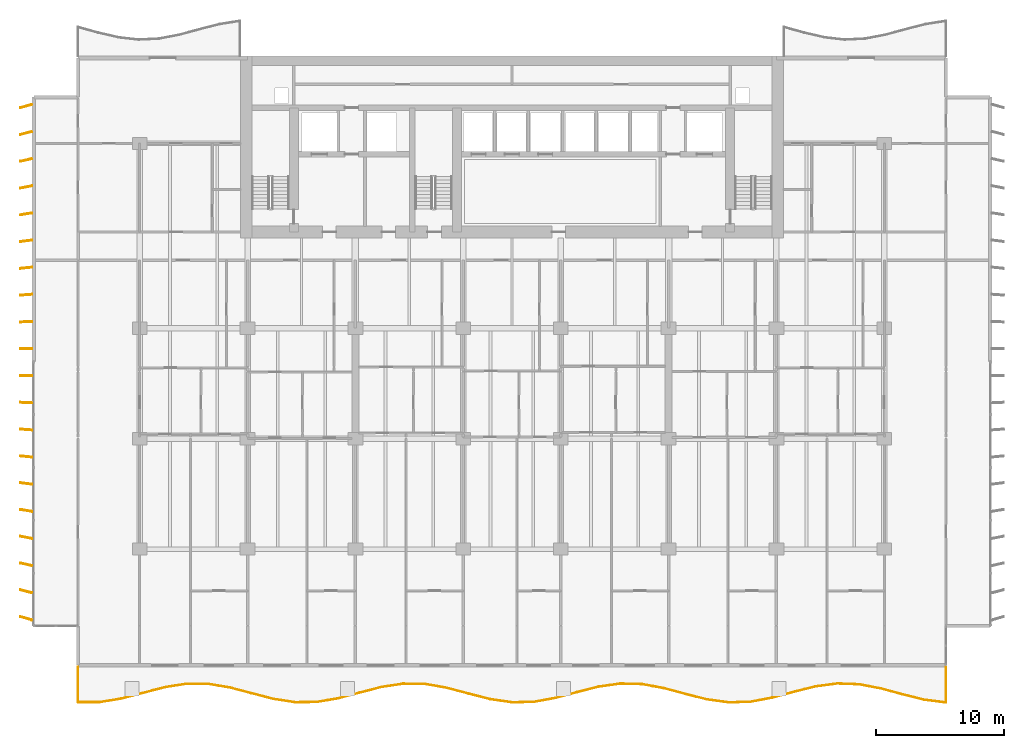
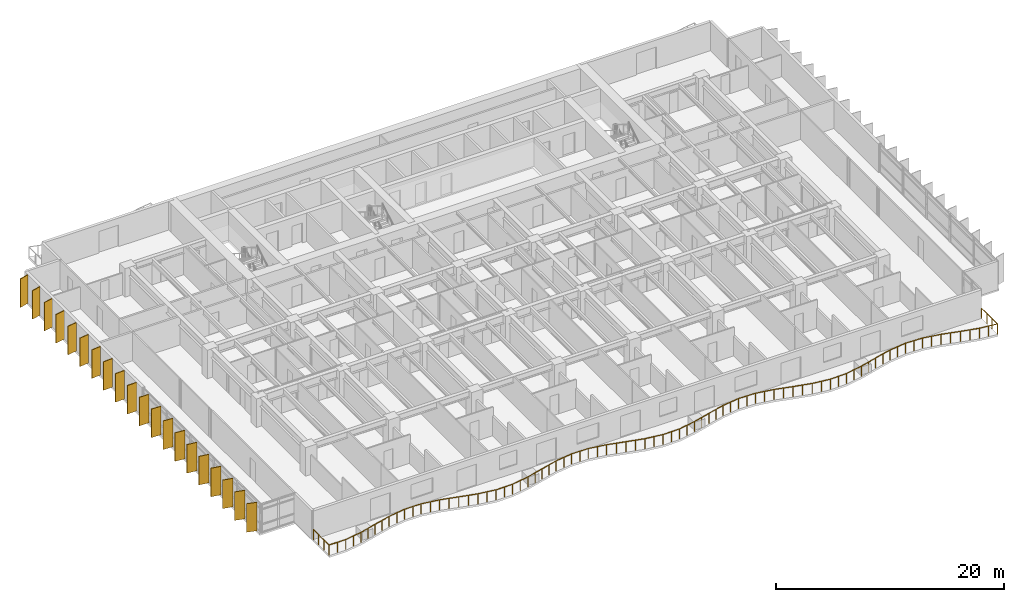
# One storey, part 15 of 18: 20 shading devices, 1 railing.
"""IFC4 building model written with IfcOpenShell, lengths in metres."""

import ifcopenshell
import ifcopenshell.guid

model = None  # the IFC model being written
_history = None  # IfcOwnerHistory: only IFC2X3 demands one
_inside = {}  # id of a spatial element -> (the spatial element, [elements in it])
_under = {}  # id of a project, library or spatial element -> (it, [spatial elements below it])
_declared = {}  # id of a project -> (the project, [libraries it declares])
_typed = {}  # id of a type object -> (the type object, [elements of that type])
_made_of = {}  # id of a material, layer set ... -> (it, [elements and type objects made of it])


def new_model(schema):
    """Start an empty IFC model of exactly this schema.

    Asked for "IFC4X3", IfcOpenShell would pick the latest addendum, in which some entities
    have other attributes; the version numbers below select the first issue.
    IFC2X3 requires an IfcOwnerHistory on every rooted entity: one is made here for all.
    """
    global model, _history
    if schema == "IFC4X3":
        model = ifcopenshell.file(schema_version=(4, 3, 0, 0))
    else:
        model = ifcopenshell.file(schema=schema)
    _inside.clear()
    _under.clear()
    _declared.clear()
    _typed.clear()
    _made_of.clear()
    _history = None
    if model.schema == "IFC2X3":
        org = make("IfcOrganization", Name="unknown")
        user = make(
            "IfcPersonAndOrganization",
            ThePerson=make("IfcPerson", FamilyName="unknown"),
            TheOrganization=org,
        )
        app = make(
            "IfcApplication",
            ApplicationDeveloper=org,
            Version="unknown",
            ApplicationFullName="unknown",
            ApplicationIdentifier="unknown",
        )
        _history = make(
            "IfcOwnerHistory",
            OwningUser=user,
            OwningApplication=app,
            ChangeAction="ADDED",
            CreationDate=0,
        )
    return model


def make(cls, **values):
    """One entity of the class cls with the attributes given. An attribute that is None is left unset."""
    return model.create_entity(
        cls, **{name: value for name, value in values.items() if value is not None}
    )


def rooted(cls, **values):
    """An entity with a GlobalId (a new one), such as an element, a storey or a relation."""
    return make(cls, GlobalId=ifcopenshell.guid.new(), OwnerHistory=_history, **values)


def si_unit(unit_type, name, prefix=None):
    """IfcSIUnit, for example si_unit("LENGTHUNIT", "METRE", prefix="MILLI")."""
    return make("IfcSIUnit", UnitType=unit_type, Prefix=prefix, Name=name)


def assignment(units):
    """IfcUnitAssignment: the units of a project."""
    return None if units is None else make("IfcUnitAssignment", Units=units)


def point(xyz):
    """IfcCartesianPoint."""
    return None if xyz is None else make("IfcCartesianPoint", Coordinates=xyz)


def direction(xyz):
    """IfcDirection."""
    return None if xyz is None else make("IfcDirection", DirectionRatios=xyz)


def frame(location, z_axis=None, x_axis=None):
    """IfcAxis2Placement3D, a coordinate frame: its origin and axes. An axis left out is left unset."""
    return make(
        "IfcAxis2Placement3D",
        Location=point(location),
        Axis=direction(z_axis),
        RefDirection=direction(x_axis),
    )


def frame_2d(location, x_axis=None):
    """IfcAxis2Placement2D, a coordinate frame in the plane: its origin and x axis."""
    return make(
        "IfcAxis2Placement2D", Location=point(location), RefDirection=direction(x_axis)
    )


def origin():
    """The frame at (0, 0, 0) with its axes left unset."""
    return frame((0.0, 0.0, 0.0))


def origin_2d():
    """The frame at (0, 0) in the plane with its x axis left unset."""
    return frame_2d((0.0, 0.0))


def place(relative_to, where):
    """IfcLocalPlacement: puts the frame where relative to a parent placement (None: the world)."""
    return make(
        "IfcLocalPlacement", PlacementRelTo=relative_to, RelativePlacement=where
    )


def context(
    kind, dimensions, precision=None, world=None, true_north=None, identifier=None
):
    """IfcGeometricRepresentationContext, for example the 3D "Model" context."""
    return make(
        "IfcGeometricRepresentationContext",
        ContextIdentifier=identifier,
        ContextType=kind,
        CoordinateSpaceDimension=dimensions,
        Precision=precision,
        WorldCoordinateSystem=world,
        TrueNorth=true_north,
    )


def subcontext(parent, identifier, kind, view, scale=None):
    """IfcGeometricRepresentationSubContext, for example "Body" below "Model"."""
    return make(
        "IfcGeometricRepresentationSubContext",
        ContextIdentifier=identifier,
        ContextType=kind,
        ParentContext=parent,
        TargetScale=scale,
        TargetView=view,
    )


def project(units=None, contexts=None):
    """IfcProject with its units and contexts."""
    return rooted(
        "IfcProject",
        Name="project",
        RepresentationContexts=contexts,
        UnitsInContext=assignment(units),
    )


def spatial(cls, under=None, at=None, **own):
    """A site, building, storey or space (cls), placed at a placement, below another one or the project."""
    s = rooted(cls, ObjectPlacement=at, **own)
    if under is not None:
        _under.setdefault(under.id(), (under, []))[1].append(s)
    return s


def profile(cls, at=None, kind="AREA", **sizes):
    """A parametric profile (cls). Its sizes go by their IFC names, for example OverallWidth=200.0."""
    return make(cls, ProfileType=kind, Position=at, **sizes)


def rectangle(**sizes):
    """IfcRectangleProfileDef."""
    return profile("IfcRectangleProfileDef", **sizes)


def circle(**sizes):
    """IfcCircleProfileDef."""
    return profile("IfcCircleProfileDef", **sizes)


def extrude(swept, where, along, depth):
    """IfcExtrudedAreaSolid: the profile swept, set in the frame where, extruded along a direction by depth."""
    return make(
        "IfcExtrudedAreaSolid",
        SweptArea=swept,
        Position=where,
        ExtrudedDirection=direction(along),
        Depth=depth,
    )


def shape(context_of_items, identifier, shape_type, items):
    """IfcShapeRepresentation: the items that make up one representation, for example the "Body"."""
    return make(
        "IfcShapeRepresentation",
        ContextOfItems=context_of_items,
        RepresentationIdentifier=identifier,
        RepresentationType=shape_type,
        Items=items,
    )


def material(Name=None, Category=None):
    """IfcMaterial."""
    return make("IfcMaterial", Name=Name, Category=Category)


def material_profile(
    of_material, cross_section, Name=None, Category=None, Priority=None
):
    """IfcMaterialProfile: a cross section and its material."""
    return make(
        "IfcMaterialProfile",
        Name=Name,
        Material=of_material,
        Profile=cross_section,
        Priority=Priority,
        Category=Category,
    )


def profile_set(profiles, Name=None, composite=None):
    """IfcMaterialProfileSet."""
    return make(
        "IfcMaterialProfileSet",
        Name=Name,
        MaterialProfiles=profiles,
        CompositeProfile=composite,
    )


def made_of(thing, what):
    """Note that an element or type object is made of a material, layer set ...; save() writes the relation."""
    if what is not None:
        _made_of.setdefault(what.id(), (what, []))[1].append(thing)
    return thing


def type_object(cls, material=None, **own):
    """A type object (cls), such as IfcWallType, which elements share."""
    return made_of(rooted(cls, **own), material)


def element(
    cls,
    number,
    at=None,
    inside=None,
    cuts=None,
    type_object=None,
    material=None,
    context=None,
    identifier="Body",
    shape_type=None,
    held_by="IfcProductDefinitionShape",
    body=None,
    shapes=None,
    **own,
):
    """One element of the class cls, such as IfcWall. Its Tag is "e" and its number.

    at: its placement. inside: the storey or other place that contains it. cuts: it is an
    opening in that element (IfcRelVoidsElement). A single representation is given by context,
    identifier, shape_type and body (its items); several are given by shapes. held_by: the class
    of the entity that holds the representations. save() writes the other relations.
    """
    e = rooted(cls, Tag="e%d" % number, ObjectPlacement=at, **own)
    if body is not None:
        shapes = [shape(context, identifier, shape_type, body)]
    if shapes is not None:
        e.Representation = make(held_by, Representations=shapes)
    if inside is not None:
        _inside.setdefault(inside.id(), (inside, []))[1].append(e)
    if cuts is not None:
        rooted(
            "IfcRelVoidsElement", RelatingBuildingElement=cuts, RelatedOpeningElement=e
        )
    if type_object is not None:
        _typed.setdefault(type_object.id(), (type_object, []))[1].append(e)
    return made_of(e, material)


def aggregate(whole, parts):
    """IfcRelAggregates: a whole, such as a stair, and the parts it consists of."""
    return rooted("IfcRelAggregates", RelatingObject=whole, RelatedObjects=parts)


def save(model, path):
    """Write the relations noted so far, then the file.

    IfcRelAggregates (storeys below a building ...), IfcRelContainedInSpatialStructure (elements
    in a storey), IfcRelDefinesByType, IfcRelAssociatesMaterial and IfcRelDeclares: one each for
    every whole, place, type object, material and project.
    """
    for whole, parts in _under.values():
        aggregate(whole, parts)
    for where, things in _inside.values():
        rooted(
            "IfcRelContainedInSpatialStructure",
            RelatedElements=things,
            RelatingStructure=where,
        )
    for kind, things in _typed.values():
        rooted("IfcRelDefinesByType", RelatedObjects=things, RelatingType=kind)
    for what, things in _made_of.values():
        rooted("IfcRelAssociatesMaterial", RelatedObjects=things, RelatingMaterial=what)
    for by, libraries in _declared.values():
        rooted("IfcRelDeclares", RelatingContext=by, RelatedDefinitions=libraries)
    model.write(path)


model = new_model("IFC4")

# Units and contexts
model_context = context("Model", 3, precision=1e-05, world=origin(), true_north=direction((0.0, 1.0)))
body_context = subcontext(model_context, "Body", "Model", "MODEL_VIEW")
ifc_project = project(units=[si_unit("LENGTHUNIT", "METRE"), si_unit("AREAUNIT", "SQUARE_METRE"), si_unit("VOLUMEUNIT", "CUBIC_METRE"), si_unit("PLANEANGLEUNIT", "RADIAN"), si_unit("MASSUNIT", "GRAM", prefix="KILO")], contexts=[model_context])

# Site, building, storey
site_placement = place(None, origin())
site = spatial("IfcSite", under=ifc_project, at=site_placement, CompositionType="ELEMENT")
building_placement = place(site_placement, origin())
building = spatial("IfcBuilding", under=site, at=building_placement, Name="Caelmar Bay Residences", CompositionType="ELEMENT")
storey_placement = place(building_placement, frame((0.0, 0.0, 69.60009765625)))
storey = spatial("IfcBuildingStorey", under=building, at=storey_placement, Name="L18", CompositionType="ELEMENT", Elevation=69.60009765625)

# Railing
ifc_material_1 = material(Name="Anodised bronze handrail with laminated hurricane glass infill", Category="glass")
railing_type = type_object("IfcRailingType", Name="RL-BAL-1100", PredefinedType="BALUSTRADE", material=ifc_material_1)
railing_placement = place(storey_placement, frame((5.10009765625, 3.0, 0.0)))
element("IfcRailing", 1, at=railing_placement, inside=storey, type_object=railing_type, Name="L18 south Balcony Balustrade", PredefinedType="BALUSTRADE", context=body_context, shape_type="SweptSolid", body=[
    extrude(circle(Radius=0.02392578125, at=origin_2d()), frame((0.0, 0.0, 1.076171875), z_axis=(0.0, -1.0, 0.0), x_axis=(1.0, 0.0, 0.0)), (0.0, 0.0, 1.0), 2.7333984375),
    extrude(circle(Radius=0.02392578125, at=origin_2d()), frame((0.0, -2.7333984375, 1.076171875), z_axis=(0.999999833035, 0.000577867572, 0.0), x_axis=(-0.000577867572, 0.999999833035, 0.0)), (0.0, 0.0, 1.0), 1.68994140625),
    extrude(circle(Radius=0.02392578125, at=origin_2d()), frame((1.68994140625, -2.732421875, 1.076171875), z_axis=(0.986912976197, 0.161253767131, 0.0), x_axis=(-0.161253767131, 0.986912976197, 0.0)), (0.0, 0.0, 1.0), 1.71240234375),
    extrude(circle(Radius=0.02392578125, at=origin_2d()), frame((3.3798828125, -2.456298828125, 1.076171875), z_axis=(0.967094441618, 0.254417650706, 0.0), x_axis=(-0.254417650706, 0.967094441618, 0.0)), (0.0, 0.0, 1.0), 1.74755859375),
    extrude(circle(Radius=0.02392578125, at=origin_2d()), frame((5.06982421875, -2.01171875, 1.076171875), z_axis=(0.967514789184, 0.252814423463, 0.0), x_axis=(-0.252814423463, 0.967514789184, 0.0)), (0.0, 0.0, 1.0), 1.746826171875),
    extrude(circle(Radius=0.02392578125, at=origin_2d()), frame((6.760009765625, -1.570068359375, 1.076171875), z_axis=(0.98769577134, 0.156387541952, 0.0), x_axis=(-0.156387541952, 0.98769577134, 0.0)), (0.0, 0.0, 1.0), 1.7109375),
    extrude(circle(Radius=0.02392578125, at=origin_2d()), frame((8.449951171875, -1.302490234375, 1.076171875), z_axis=(0.999984128218, -0.005634120341, 0.0), x_axis=(0.005634120341, 0.999984128218, 0.0)), (0.0, 0.0, 1.0), 1.68994140625),
    extrude(circle(Radius=0.02392578125, at=origin_2d()), frame((10.139892578125, -1.31201171875, 1.076171875), z_axis=(0.98624720218, -0.165276907618, 0.0), x_axis=(0.165276907618, 0.98624720218, 0.0)), (0.0, 0.0, 1.0), 1.713623046875),
    extrude(circle(Radius=0.02392578125, at=origin_2d()), frame((11.829833984375, -1.59521484375, 1.076171875), z_axis=(0.966724528556, -0.255819635464, 0.0), x_axis=(0.255819635464, 0.966724528556, 0.0)), (0.0, 0.0, 1.0), 1.748291015625),
    extrude(circle(Radius=0.02392578125, at=origin_2d()), frame((13.52001953125, -2.04248046875, 1.076171875), z_axis=(0.967949070137, -0.251146566016, 0.0), x_axis=(0.251146566016, 0.967949070137, 0.0)), (0.0, 0.0, 1.0), 1.745849609375),
    extrude(circle(Radius=0.02392578125, at=origin_2d()), frame((15.2099609375, -2.48095703125, 1.076171875), z_axis=(0.988327087853, -0.152346865464, 0.0), x_axis=(0.152346865464, 0.988327087853, 0.0)), (0.0, 0.0, 1.0), 1.7099609375),
    extrude(circle(Radius=0.02392578125, at=origin_2d()), frame((16.89990234375, -2.741455078125, 1.076171875), z_axis=(0.999941306352, 0.010834382834, 0.0), x_axis=(-0.010834382834, 0.999941306352, 0.0)), (0.0, 0.0, 1.0), 1.68994140625),
    extrude(circle(Radius=0.02392578125, at=origin_2d()), frame((18.58984375, -2.72314453125, 1.076171875), z_axis=(0.9855897172, 0.169153508239, 0.0), x_axis=(-0.169153508239, 0.9855897172, 0.0)), (0.0, 0.0, 1.0), 1.714599609375),
    extrude(circle(Radius=0.02392578125, at=origin_2d()), frame((20.27978515625, -2.43310546875, 1.076171875), z_axis=(0.966378433467, 0.257123945464, 0.0), x_axis=(-0.257123945464, 0.966378433467, 0.0)), (0.0, 0.0, 1.0), 1.7490234375),
    extrude(circle(Radius=0.02392578125, at=origin_2d()), frame((21.969970703125, -1.9833984375, 1.076171875), z_axis=(0.968389691805, 0.2494421873, 0.0), x_axis=(-0.2494421873, 0.968389691805, 0.0)), (0.0, 0.0, 1.0), 1.7451171875),
    extrude(circle(Radius=0.02392578125, at=origin_2d()), frame((23.659912109375, -1.548095703125, 1.076171875), z_axis=(0.988963583268, 0.148158803214, 0.0), x_axis=(-0.148158803214, 0.988963583268, 0.0)), (0.0, 0.0, 1.0), 1.708740234375),
    extrude(circle(Radius=0.02392578125, at=origin_2d()), frame((25.349853515625, -1.294921875, 1.076171875), z_axis=(0.999873756235, -0.015889354693, 0.0), x_axis=(0.015889354693, 0.999873756235, 0.0)), (0.0, 0.0, 1.0), 1.690185546875),
    extrude(circle(Radius=0.02392578125, at=origin_2d()), frame((27.039794921875, -1.32177734375, 1.076171875), z_axis=(0.984922170397, -0.172998029641, 0.0), x_axis=(0.172998029641, 0.984922170397, 0.0)), (0.0, 0.0, 1.0), 1.716064453125),
    extrude(circle(Radius=0.02392578125, at=origin_2d()), frame((28.72998046875, -1.61865234375, 1.076171875), z_axis=(0.966056345192, -0.258331449718, 0.0), x_axis=(0.258331449718, 0.966056345192, 0.0)), (0.0, 0.0, 1.0), 1.749267578125),
    extrude(circle(Radius=0.02392578125, at=origin_2d()), frame((30.419921875, -2.070556640625, 1.076171875), z_axis=(0.968827708261, -0.247735487377, 0.0), x_axis=(0.247735487377, 0.968827708261, 0.0)), (0.0, 0.0, 1.0), 1.744384765625),
    extrude(circle(Radius=0.02392578125, at=origin_2d()), frame((32.10986328125, -2.502685546875, 1.076171875), z_axis=(0.989583106787, -0.143962754772, 0.0), x_axis=(0.143962754772, 0.989583106787, 0.0)), (0.0, 0.0, 1.0), 1.707763671875),
    extrude(circle(Radius=0.02392578125, at=origin_2d()), frame((33.7998046875, -2.74853515625, 1.076171875), z_axis=(0.99977769859, 0.021084435071, 0.0), x_axis=(-0.021084435071, 0.99977769859, 0.0)), (0.0, 0.0, 1.0), 1.690673828125),
    extrude(circle(Radius=0.02392578125, at=origin_2d()), frame((35.489990234375, -2.712890625, 1.076171875), z_axis=(0.984256622115, 0.176745302122, 0.0), x_axis=(-0.176745302122, 0.984256622115, 0.0)), (0.0, 0.0, 1.0), 1.717041015625),
    extrude(circle(Radius=0.02392578125, at=origin_2d()), frame((37.179931640625, -2.409423828125, 1.076171875), z_axis=(0.965777225915, 0.259372993784, 0.0), x_axis=(-0.259372993784, 0.965777225915, 0.0)), (0.0, 0.0, 1.0), 1.749755859375),
    extrude(circle(Radius=0.02392578125, at=origin_2d()), frame((38.869873046875, -1.95556640625, 1.076171875), z_axis=(0.969263107801, 0.246026477955, 0.0), x_axis=(-0.246026477955, 0.969263107801, 0.0)), (0.0, 0.0, 1.0), 1.74365234375),
    extrude(circle(Radius=0.02392578125, at=origin_2d()), frame((40.559814453125, -1.526611328125, 1.076171875), z_axis=(0.990188353082, 0.139739133463, 0.0), x_axis=(-0.139739133463, 0.990188353082, 0.0)), (0.0, 0.0, 1.0), 1.70703125),
    extrude(circle(Radius=0.02392578125, at=origin_2d()), frame((42.25, -1.2880859375, 1.076171875), z_axis=(0.999654518749, -0.026283895177, 0.0), x_axis=(0.026283895177, 0.999654518749, 0.0)), (0.0, 0.0, 1.0), 1.6904296875),
    extrude(circle(Radius=0.02392578125, at=origin_2d()), frame((43.93994140625, -1.33251953125, 1.076171875), z_axis=(0.983582184878, -0.180460759144, 0.0), x_axis=(0.180460759144, 0.983582184878, 0.0)), (0.0, 0.0, 1.0), 1.71826171875),
    extrude(circle(Radius=0.02392578125, at=origin_2d()), frame((45.6298828125, -1.642578125, 1.076171875), z_axis=(0.965497146249, -0.260413633639, 0.0), x_axis=(0.260413633639, 0.965497146249, 0.0)), (0.0, 0.0, 1.0), 1.750244140625),
    extrude(circle(Radius=0.02392578125, at=origin_2d()), frame((47.31982421875, -2.098388671875, 1.076171875), z_axis=(0.969737411097, -0.244150268315, 0.0), x_axis=(0.244150268315, 0.969737411097, 0.0)), (0.0, 0.0, 1.0), 1.742919921875),
    extrude(circle(Radius=0.02392578125, at=origin_2d()), frame((49.010009765625, -2.52392578125, 1.076171875), z_axis=(0.990790057905, -0.135407020338, 0.0), x_axis=(0.135407020338, 0.990790057905, 0.0)), (0.0, 0.0, 1.0), 1.70556640625),
    extrude(circle(Radius=0.02392578125, at=origin_2d()), frame((50.699951171875, -2.7548828125, 1.076171875), z_axis=(0.999504439275, 0.031478180838, 0.0), x_axis=(-0.031478180838, 0.999504439275, 0.0)), (0.0, 0.0, 1.0), 1.690673828125),
    extrude(circle(Radius=0.02392578125, at=origin_2d()), frame((52.389892578125, -2.70166015625, 1.076171875), z_axis=(0.982920379518, 0.18403132214, 0.0), x_axis=(-0.18403132214, 0.982920379518, 0.0)), (0.0, 0.0, 1.0), 1.71923828125),
    extrude(circle(Radius=0.02392578125, at=origin_2d()), frame((54.079833984375, -2.38525390625, 1.076171875), z_axis=(0.965260811811, 0.26128827984, 0.0), x_axis=(-0.26128827984, 0.965260811811, 0.0)), (0.0, 0.0, 1.0), 1.7509765625),
    extrude(circle(Radius=0.02392578125, at=origin_2d()), frame((55.77001953125, -1.927734375, 1.076171875), z_axis=(0.970224894322, 0.242205810082, 0.0), x_axis=(-0.242205810082, 0.970224894322, 0.0)), (0.0, 0.0, 1.0), 1.74169921875),
    extrude(circle(Radius=0.02392578125, at=origin_2d()), frame((57.4599609375, -1.505859375, 1.076171875), z_axis=(0.991394719073, 0.130906497144, 0.0), x_axis=(-0.130906497144, 0.991394719073, 0.0)), (0.0, 0.0, 1.0), 1.70458984375),
    extrude(circle(Radius=0.02392578125, at=origin_2d()), frame((59.14990234375, -1.28271484375, 1.076171875), z_axis=(0.99933797185, -0.036381561529, 0.0), x_axis=(0.036381561529, 0.99933797185, 0.0)), (0.0, 0.0, 1.0), 1.691162109375),
    extrude(circle(Radius=0.02392578125, at=origin_2d()), frame((60.83984375, -1.34423828125, 1.076171875), z_axis=(0.982246537562, -0.187594614657, 0.0), x_axis=(0.187594614657, 0.982246537562, 0.0)), (0.0, 0.0, 1.0), 1.720458984375),
    extrude(circle(Radius=0.02392578125, at=origin_2d()), frame((62.52978515625, -1.6669921875, 1.076171875), z_axis=(0.965014289093, -0.26219729565, 0.0), x_axis=(0.26219729565, 0.965014289093, 0.0)), (0.0, 0.0, 1.0), 1.75146484375),
    extrude(circle(Radius=0.02392578125, at=origin_2d()), frame((64.219970703125, -2.126220703125, 1.076171875), z_axis=(0.970749888961, -0.240093009232, 0.0), x_axis=(0.240093009232, 0.970749888961, 0.0)), (0.0, 0.0, 1.0), 1.740966796875),
    extrude(circle(Radius=0.02392578125, at=origin_2d()), frame((65.909912109375, -2.544189453125, 1.076171875), z_axis=(0.991943650562, -0.126679888341, 0.0), x_axis=(0.126679888341, 0.991943650562, 0.0)), (0.0, 0.0, 1.0), 1.70361328125),
    extrude(circle(Radius=0.02392578125, at=origin_2d()), frame((67.599853515625, -2.760009765625, 1.076171875), z_axis=(0.0, 1.0, 0.0), x_axis=(-1.0, 0.0, 0.0)), (0.0, 0.0, 1.0), 2.760009765625),
    extrude(circle(Radius=0.02099609375, at=origin_2d()), origin(), (0.0, 0.0, 1.0), 1.052001953125),
    extrude(circle(Radius=0.02099609375, at=origin_2d()), frame((0.0, -0.9111328125, 0.0)), (0.0, 0.0, 1.0), 1.052001953125),
    extrude(circle(Radius=0.02099609375, at=origin_2d()), frame((0.0, -1.822265625, 0.0)), (0.0, 0.0, 1.0), 1.052001953125),
    extrude(circle(Radius=0.02099609375, at=origin_2d()), frame((0.0, -2.7333984375, 0.0)), (0.0, 0.0, 1.0), 1.052001953125),
    extrude(circle(Radius=0.02099609375, at=origin_2d()), frame((0.844970703125, -2.73291015625, 0.0)), (0.0, 0.0, 1.0), 1.052001953125),
    extrude(circle(Radius=0.02099609375, at=origin_2d()), frame((1.68994140625, -2.732421875, 0.0)), (0.0, 0.0, 1.0), 1.052001953125),
    extrude(circle(Radius=0.02099609375, at=origin_2d()), frame((2.534912109375, -2.59423828125, 0.0)), (0.0, 0.0, 1.0), 1.052001953125),
    extrude(circle(Radius=0.02099609375, at=origin_2d()), frame((3.3798828125, -2.456298828125, 0.0)), (0.0, 0.0, 1.0), 1.052001953125),
    extrude(circle(Radius=0.02099609375, at=origin_2d()), frame((4.224853515625, -2.23388671875, 0.0)), (0.0, 0.0, 1.0), 1.052001953125),
    extrude(circle(Radius=0.02099609375, at=origin_2d()), frame((5.06982421875, -2.01171875, 0.0)), (0.0, 0.0, 1.0), 1.052001953125),
    extrude(circle(Radius=0.02099609375, at=origin_2d()), frame((5.9150390625, -1.791015625, 0.0)), (0.0, 0.0, 1.0), 1.052001953125),
    extrude(circle(Radius=0.02099609375, at=origin_2d()), frame((6.760009765625, -1.570068359375, 0.0)), (0.0, 0.0, 1.0), 1.052001953125),
    extrude(circle(Radius=0.02099609375, at=origin_2d()), frame((7.60498046875, -1.436279296875, 0.0)), (0.0, 0.0, 1.0), 1.052001953125),
    extrude(circle(Radius=0.02099609375, at=origin_2d()), frame((8.449951171875, -1.302490234375, 0.0)), (0.0, 0.0, 1.0), 1.052001953125),
    extrude(circle(Radius=0.02099609375, at=origin_2d()), frame((9.294921875, -1.30712890625, 0.0)), (0.0, 0.0, 1.0), 1.052001953125),
    extrude(circle(Radius=0.02099609375, at=origin_2d()), frame((10.139892578125, -1.31201171875, 0.0)), (0.0, 0.0, 1.0), 1.052001953125),
    extrude(circle(Radius=0.02099609375, at=origin_2d()), frame((10.98486328125, -1.45361328125, 0.0)), (0.0, 0.0, 1.0), 1.052001953125),
    extrude(circle(Radius=0.02099609375, at=origin_2d()), frame((11.829833984375, -1.59521484375, 0.0)), (0.0, 0.0, 1.0), 1.052001953125),
    extrude(circle(Radius=0.02099609375, at=origin_2d()), frame((12.6748046875, -1.81884765625, 0.0)), (0.0, 0.0, 1.0), 1.052001953125),
    extrude(circle(Radius=0.02099609375, at=origin_2d()), frame((13.52001953125, -2.04248046875, 0.0)), (0.0, 0.0, 1.0), 1.052001953125),
    extrude(circle(Radius=0.02099609375, at=origin_2d()), frame((14.364990234375, -2.26171875, 0.0)), (0.0, 0.0, 1.0), 1.052001953125),
    extrude(circle(Radius=0.02099609375, at=origin_2d()), frame((15.2099609375, -2.48095703125, 0.0)), (0.0, 0.0, 1.0), 1.052001953125),
    extrude(circle(Radius=0.02099609375, at=origin_2d()), frame((16.054931640625, -2.611328125, 0.0)), (0.0, 0.0, 1.0), 1.052001953125),
    extrude(circle(Radius=0.02099609375, at=origin_2d()), frame((16.89990234375, -2.741455078125, 0.0)), (0.0, 0.0, 1.0), 1.052001953125),
    extrude(circle(Radius=0.02099609375, at=origin_2d()), frame((17.744873046875, -2.732421875, 0.0)), (0.0, 0.0, 1.0), 1.052001953125),
    extrude(circle(Radius=0.02099609375, at=origin_2d()), frame((18.58984375, -2.72314453125, 0.0)), (0.0, 0.0, 1.0), 1.052001953125),
    extrude(circle(Radius=0.02099609375, at=origin_2d()), frame((19.434814453125, -2.578125, 0.0)), (0.0, 0.0, 1.0), 1.052001953125),
    extrude(circle(Radius=0.02099609375, at=origin_2d()), frame((20.27978515625, -2.43310546875, 0.0)), (0.0, 0.0, 1.0), 1.052001953125),
    extrude(circle(Radius=0.02099609375, at=origin_2d()), frame((21.125, -2.208251953125, 0.0)), (0.0, 0.0, 1.0), 1.052001953125),
    extrude(circle(Radius=0.02099609375, at=origin_2d()), frame((21.969970703125, -1.9833984375, 0.0)), (0.0, 0.0, 1.0), 1.052001953125),
    extrude(circle(Radius=0.02099609375, at=origin_2d()), frame((22.81494140625, -1.765625, 0.0)), (0.0, 0.0, 1.0), 1.052001953125),
    extrude(circle(Radius=0.02099609375, at=origin_2d()), frame((23.659912109375, -1.548095703125, 0.0)), (0.0, 0.0, 1.0), 1.052001953125),
    extrude(circle(Radius=0.02099609375, at=origin_2d()), frame((24.5048828125, -1.42138671875, 0.0)), (0.0, 0.0, 1.0), 1.052001953125),
    extrude(circle(Radius=0.02099609375, at=origin_2d()), frame((25.349853515625, -1.294921875, 0.0)), (0.0, 0.0, 1.0), 1.052001953125),
    extrude(circle(Radius=0.02099609375, at=origin_2d()), frame((26.19482421875, -1.308349609375, 0.0)), (0.0, 0.0, 1.0), 1.052001953125),
    extrude(circle(Radius=0.02099609375, at=origin_2d()), frame((27.039794921875, -1.32177734375, 0.0)), (0.0, 0.0, 1.0), 1.052001953125),
    extrude(circle(Radius=0.02099609375, at=origin_2d()), frame((27.884765625, -1.47021484375, 0.0)), (0.0, 0.0, 1.0), 1.052001953125),
    extrude(circle(Radius=0.02099609375, at=origin_2d()), frame((28.72998046875, -1.61865234375, 0.0)), (0.0, 0.0, 1.0), 1.052001953125),
    extrude(circle(Radius=0.02099609375, at=origin_2d()), frame((29.574951171875, -1.8447265625, 0.0)), (0.0, 0.0, 1.0), 1.052001953125),
    extrude(circle(Radius=0.02099609375, at=origin_2d()), frame((30.419921875, -2.070556640625, 0.0)), (0.0, 0.0, 1.0), 1.052001953125),
    extrude(circle(Radius=0.02099609375, at=origin_2d()), frame((31.264892578125, -2.28662109375, 0.0)), (0.0, 0.0, 1.0), 1.052001953125),
    extrude(circle(Radius=0.02099609375, at=origin_2d()), frame((32.10986328125, -2.502685546875, 0.0)), (0.0, 0.0, 1.0), 1.052001953125),
    extrude(circle(Radius=0.02099609375, at=origin_2d()), frame((32.954833984375, -2.62548828125, 0.0)), (0.0, 0.0, 1.0), 1.052001953125),
    extrude(circle(Radius=0.02099609375, at=origin_2d()), frame((33.7998046875, -2.74853515625, 0.0)), (0.0, 0.0, 1.0), 1.052001953125),
    extrude(circle(Radius=0.02099609375, at=origin_2d()), frame((34.64501953125, -2.730712890625, 0.0)), (0.0, 0.0, 1.0), 1.052001953125),
    extrude(circle(Radius=0.02099609375, at=origin_2d()), frame((35.489990234375, -2.712890625, 0.0)), (0.0, 0.0, 1.0), 1.052001953125),
    extrude(circle(Radius=0.02099609375, at=origin_2d()), frame((36.3349609375, -2.56103515625, 0.0)), (0.0, 0.0, 1.0), 1.052001953125),
    extrude(circle(Radius=0.02099609375, at=origin_2d()), frame((37.179931640625, -2.409423828125, 0.0)), (0.0, 0.0, 1.0), 1.052001953125),
    extrude(circle(Radius=0.02099609375, at=origin_2d()), frame((38.02490234375, -2.1826171875, 0.0)), (0.0, 0.0, 1.0), 1.052001953125),
    extrude(circle(Radius=0.02099609375, at=origin_2d()), frame((38.869873046875, -1.95556640625, 0.0)), (0.0, 0.0, 1.0), 1.052001953125),
    extrude(circle(Radius=0.02099609375, at=origin_2d()), frame((39.71484375, -1.7412109375, 0.0)), (0.0, 0.0, 1.0), 1.052001953125),
    extrude(circle(Radius=0.02099609375, at=origin_2d()), frame((40.559814453125, -1.526611328125, 0.0)), (0.0, 0.0, 1.0), 1.052001953125),
    extrude(circle(Radius=0.02099609375, at=origin_2d()), frame((41.40478515625, -1.4072265625, 0.0)), (0.0, 0.0, 1.0), 1.052001953125),
    extrude(circle(Radius=0.02099609375, at=origin_2d()), frame((42.25, -1.2880859375, 0.0)), (0.0, 0.0, 1.0), 1.052001953125),
    extrude(circle(Radius=0.02099609375, at=origin_2d()), frame((43.094970703125, -1.310302734375, 0.0)), (0.0, 0.0, 1.0), 1.052001953125),
    extrude(circle(Radius=0.02099609375, at=origin_2d()), frame((43.93994140625, -1.33251953125, 0.0)), (0.0, 0.0, 1.0), 1.052001953125),
    extrude(circle(Radius=0.02099609375, at=origin_2d()), frame((44.784912109375, -1.487548828125, 0.0)), (0.0, 0.0, 1.0), 1.052001953125),
    extrude(circle(Radius=0.02099609375, at=origin_2d()), frame((45.6298828125, -1.642578125, 0.0)), (0.0, 0.0, 1.0), 1.052001953125),
    extrude(circle(Radius=0.02099609375, at=origin_2d()), frame((46.474853515625, -1.87060546875, 0.0)), (0.0, 0.0, 1.0), 1.052001953125),
    extrude(circle(Radius=0.02099609375, at=origin_2d()), frame((47.31982421875, -2.098388671875, 0.0)), (0.0, 0.0, 1.0), 1.052001953125),
    extrude(circle(Radius=0.02099609375, at=origin_2d()), frame((48.1650390625, -2.31103515625, 0.0)), (0.0, 0.0, 1.0), 1.052001953125),
    extrude(circle(Radius=0.02099609375, at=origin_2d()), frame((49.010009765625, -2.52392578125, 0.0)), (0.0, 0.0, 1.0), 1.052001953125),
    extrude(circle(Radius=0.02099609375, at=origin_2d()), frame((49.85498046875, -2.639404296875, 0.0)), (0.0, 0.0, 1.0), 1.052001953125),
    extrude(circle(Radius=0.02099609375, at=origin_2d()), frame((50.699951171875, -2.7548828125, 0.0)), (0.0, 0.0, 1.0), 1.052001953125),
    extrude(circle(Radius=0.02099609375, at=origin_2d()), frame((51.544921875, -2.728271484375, 0.0)), (0.0, 0.0, 1.0), 1.052001953125),
    extrude(circle(Radius=0.02099609375, at=origin_2d()), frame((52.389892578125, -2.70166015625, 0.0)), (0.0, 0.0, 1.0), 1.052001953125),
    extrude(circle(Radius=0.02099609375, at=origin_2d()), frame((53.23486328125, -2.54345703125, 0.0)), (0.0, 0.0, 1.0), 1.052001953125),
    extrude(circle(Radius=0.02099609375, at=origin_2d()), frame((54.079833984375, -2.38525390625, 0.0)), (0.0, 0.0, 1.0), 1.052001953125),
    extrude(circle(Radius=0.02099609375, at=origin_2d()), frame((54.9248046875, -2.156494140625, 0.0)), (0.0, 0.0, 1.0), 1.052001953125),
    extrude(circle(Radius=0.02099609375, at=origin_2d()), frame((55.77001953125, -1.927734375, 0.0)), (0.0, 0.0, 1.0), 1.052001953125),
    extrude(circle(Radius=0.02099609375, at=origin_2d()), frame((56.614990234375, -1.716796875, 0.0)), (0.0, 0.0, 1.0), 1.052001953125),
    extrude(circle(Radius=0.02099609375, at=origin_2d()), frame((57.4599609375, -1.505859375, 0.0)), (0.0, 0.0, 1.0), 1.052001953125),
    extrude(circle(Radius=0.02099609375, at=origin_2d()), frame((58.304931640625, -1.394287109375, 0.0)), (0.0, 0.0, 1.0), 1.052001953125),
    extrude(circle(Radius=0.02099609375, at=origin_2d()), frame((59.14990234375, -1.28271484375, 0.0)), (0.0, 0.0, 1.0), 1.052001953125),
    extrude(circle(Radius=0.02099609375, at=origin_2d()), frame((59.994873046875, -1.3134765625, 0.0)), (0.0, 0.0, 1.0), 1.052001953125),
    extrude(circle(Radius=0.02099609375, at=origin_2d()), frame((60.83984375, -1.34423828125, 0.0)), (0.0, 0.0, 1.0), 1.052001953125),
    extrude(circle(Radius=0.02099609375, at=origin_2d()), frame((61.684814453125, -1.505615234375, 0.0)), (0.0, 0.0, 1.0), 1.052001953125),
    extrude(circle(Radius=0.02099609375, at=origin_2d()), frame((62.52978515625, -1.6669921875, 0.0)), (0.0, 0.0, 1.0), 1.052001953125),
    extrude(circle(Radius=0.02099609375, at=origin_2d()), frame((63.375, -1.896484375, 0.0)), (0.0, 0.0, 1.0), 1.052001953125),
    extrude(circle(Radius=0.02099609375, at=origin_2d()), frame((64.219970703125, -2.126220703125, 0.0)), (0.0, 0.0, 1.0), 1.052001953125),
    extrude(circle(Radius=0.02099609375, at=origin_2d()), frame((65.06494140625, -2.335205078125, 0.0)), (0.0, 0.0, 1.0), 1.052001953125),
    extrude(circle(Radius=0.02099609375, at=origin_2d()), frame((65.909912109375, -2.544189453125, 0.0)), (0.0, 0.0, 1.0), 1.052001953125),
    extrude(circle(Radius=0.02099609375, at=origin_2d()), frame((66.7548828125, -2.652099609375, 0.0)), (0.0, 0.0, 1.0), 1.052001953125),
    extrude(circle(Radius=0.02099609375, at=origin_2d()), frame((67.599853515625, -2.760009765625, 0.0)), (0.0, 0.0, 1.0), 1.052001953125),
    extrude(circle(Radius=0.02099609375, at=origin_2d()), frame((67.599853515625, -1.840087890625, 0.0)), (0.0, 0.0, 1.0), 1.052001953125),
    extrude(circle(Radius=0.02099609375, at=origin_2d()), frame((67.599853515625, -0.919921875, 0.0)), (0.0, 0.0, 1.0), 1.052001953125),
    extrude(circle(Radius=0.02099609375, at=origin_2d()), frame((67.599853515625, 0.0, 0.0)), (0.0, 0.0, 1.0), 1.052001953125),
])

# Shading devices
ifc_material_2 = material(Name="Anodised architectural bronze aluminium 6063-T6", Category="aluminium")
ifc_material_profile = material_profile(ifc_material_2, rectangle(XDim=0.074951171875, YDim=0.949951171875, at=origin_2d()), Name="BRONZE-FIN-75X950")
ifc_profile_set = profile_set([ifc_material_profile], Name="Anodised architectural bronze aluminium 6063-T6")
shading_device_type = type_object("IfcShadingDeviceType", Name="SHD-FIN-950", PredefinedType="USERDEFINED", material=ifc_profile_set)
for number, where, z_axis, x_axis, name in (
    (2, (1.050048828125, 6.800048828125, 0.0), (0.0, 0.0, 1.0), (0.275637355817, 0.961261695938, 0.0), "L18 West Bronze Solar Fin 1"),
    (3, (1.050048828125, 8.89990234375, 0.0), (0.0, 0.0, 1.0), (0.247337247968, 0.968929453452, 0.0), "L18 West Bronze Solar Fin 2"),
    (4, (1.050048828125, 11.0, 0.0), (0.0, 0.0, 1.0), (0.218654200292, 0.975802408633, 0.0), "L18 West Bronze Solar Fin 3"),
    (5, (1.050048828125, 13.10009765625, 0.0), (0.0, 0.0, 1.0), (0.189952291512, 0.981793321911, 0.0), "L18 West Bronze Solar Fin 4"),
    (6, (1.050048828125, 15.199951171875, 0.0), (0.0, 0.0, 1.0), (0.160914826518, 0.986968296657, 0.0), "L18 West Bronze Solar Fin 5"),
    (7, (1.050048828125, 17.300048828125, 0.0), (0.0, 0.0, 1.0), (0.131910382711, 0.991261646052, 0.0), "L18 West Bronze Solar Fin 6"),
    (8, (1.050048828125, 19.39990234375, 0.0), (0.0, 0.0, 1.0), (0.10261892683, 0.994720742649, 0.0), "L18 West Bronze Solar Fin 7"),
    (9, (1.050048828125, 21.5, 0.0), (0.0, 0.0, 1.0), (0.073412260224, 0.997301679558, 0.0), "L18 West Bronze Solar Fin 8"),
    (10, (1.050048828125, 23.60009765625, 0.0), (0.0, 0.0, 1.0), (0.044142481788, 0.999025245578, 0.0), "L18 West Bronze Solar Fin 9"),
    (11, (1.050048828125, 25.699951171875, 0.0), (0.0, 0.0, 1.0), (0.01466024053, 0.999892532899, 0.0), "L18 West Bronze Solar Fin 10"),
    (12, (1.050048828125, 27.800048828125, 0.0), (0.0, 0.0, 1.0), (-0.01466024053, 0.999892532899, 0.0), "L18 West Bronze Solar Fin 11"),
    (13, (1.050048828125, 29.89990234375, 0.0), (0.0, 0.0, 1.0), (-0.044142481788, 0.999025245578, 0.0), "L18 West Bronze Solar Fin 12"),
    (14, (1.050048828125, 32.0, 0.0), (0.0, 0.0, 1.0), (-0.073412260224, 0.997301679558, 0.0), "L18 West Bronze Solar Fin 13"),
    (15, (1.050048828125, 34.10009765625, 0.0), (0.0, 0.0, 1.0), (-0.10261892683, 0.994720742649, 0.0), "L18 West Bronze Solar Fin 14"),
    (16, (1.050048828125, 36.199951171875, 0.0), (0.0, 0.0, 1.0), (-0.131910382711, 0.991261646052, 0.0), "L18 West Bronze Solar Fin 15"),
    (17, (1.050048828125, 38.300048828125, 0.0), (0.0, 0.0, 1.0), (-0.160914826518, 0.986968296657, 0.0), "L18 West Bronze Solar Fin 16"),
    (18, (1.050048828125, 40.39990234375, 0.0), (0.0, 0.0, 1.0), (-0.189952291512, 0.981793321911, 0.0), "L18 West Bronze Solar Fin 17"),
    (19, (1.050048828125, 42.5, 0.0), (0.0, 0.0, 1.0), (-0.218654200292, 0.975802408633, 0.0), "L18 West Bronze Solar Fin 18"),
    (20, (1.050048828125, 44.60009765625, 0.0), (0.0, 0.0, 1.0), (-0.247337247968, 0.968929453452, 0.0), "L18 West Bronze Solar Fin 19"),
    (21, (1.050048828125, 46.699951171875, 0.0), (0.0, 0.0, 1.0), (-0.275637355817, 0.961261695938, 0.0), "L18 West Bronze Solar Fin 20"),
):
    element("IfcShadingDevice", number, at=place(storey_placement, frame(where, z_axis=z_axis, x_axis=x_axis)), inside=storey, type_object=shading_device_type, Name=name, ObjectType="FIN", PredefinedType="USERDEFINED", context=body_context, shape_type="SweptSolid", body=[
        extrude(rectangle(XDim=0.074951171875, YDim=0.949951171875, at=origin_2d()), origin(), (0.0, 0.0, 1.0), 3.0498046875),
    ])

save(model, "model.ifc")
